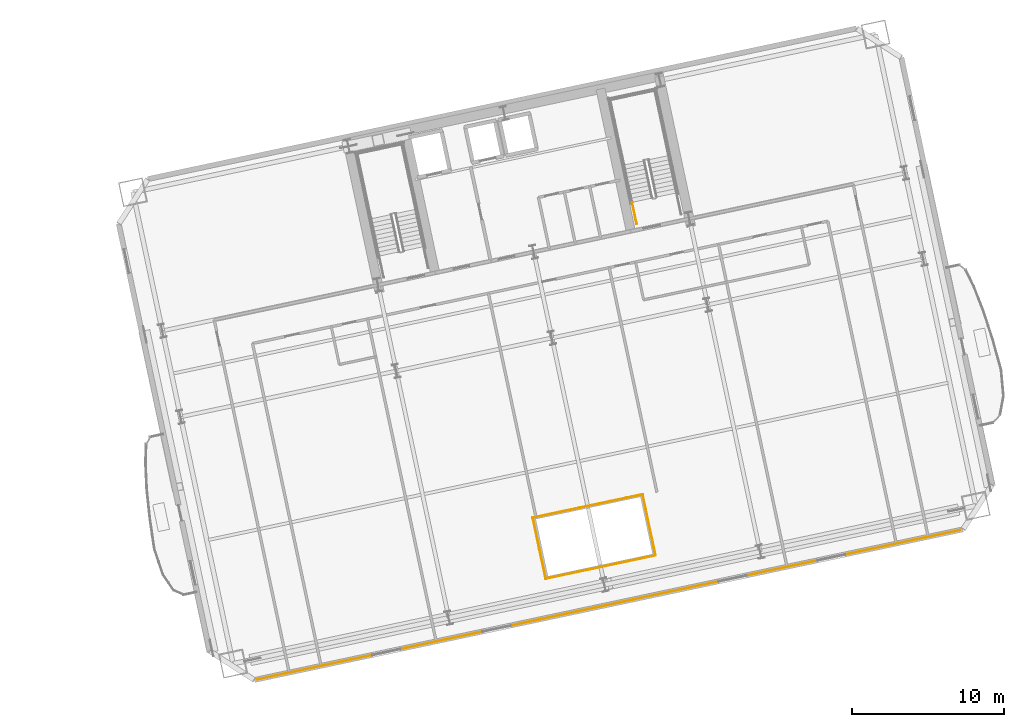
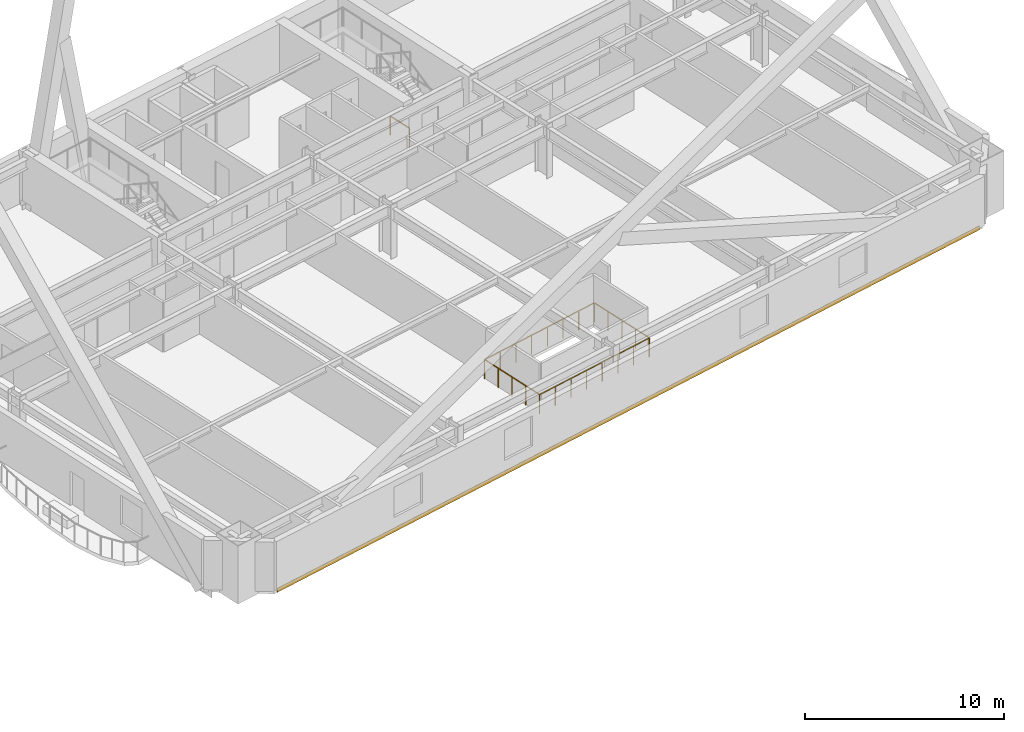
# One storey, part 18 of 20: 5 railings, 1 covering.
"""IFC4 building model written with IfcOpenShell, lengths in metres."""

from ifc_helpers import new_model, si_unit, direction, frame, origin, origin_2d, place, context, subcontext, project, spatial, rectangle, extrude, material, layer, layer_set, type_object, element, save


model = new_model("IFC4")

# Units and contexts
model_context = context("Model", 3, precision=1e-05, world=origin(), true_north=direction((0.0, 1.0)))
body_context = subcontext(model_context, "Body", "Model", "MODEL_VIEW")
ifc_project = project(units=[si_unit("LENGTHUNIT", "METRE"), si_unit("AREAUNIT", "SQUARE_METRE"), si_unit("VOLUMEUNIT", "CUBIC_METRE"), si_unit("PLANEANGLEUNIT", "RADIAN"), si_unit("MASSUNIT", "GRAM", prefix="KILO")], contexts=[model_context])

# Site, building, storey
site_placement = place(None, origin())
site = spatial("IfcSite", under=ifc_project, at=site_placement, CompositionType="ELEMENT")
building_placement = place(site_placement, origin())
building = spatial("IfcBuilding", under=site, at=building_placement, Name="Haevon Station Towers", CompositionType="ELEMENT")
storey_placement = place(building_placement, frame((0.0, 0.0, 30.60009765625)))
storey = spatial("IfcBuildingStorey", under=building, at=storey_placement, Name="L06", CompositionType="ELEMENT", Elevation=30.60009765625)

# Railings
ifc_material_1 = material(Name="Steel S355", Category="steel")
railing_type_1 = type_object("IfcRailingType", Name="BAL-ATR1200", PredefinedType="BALUSTRADE", material=ifc_material_1)
railing_1_placement = place(storey_placement, frame((109.81884765625, 18.0615234375, 0.0)))
element("IfcRailing", 1, at=railing_1_placement, inside=storey, type_object=railing_type_1, Name="L06 Atrium Void Balustrade 1", PredefinedType="BALUSTRADE", context=body_context, shape_type="SweptSolid", body=[
    extrude(rectangle(XDim=0.048095703125, YDim=0.048095703125, at=origin_2d()), frame((0.0, 0.0, 1.17578125), z_axis=(0.978148717371, 0.207906437384, 0.0), x_axis=(-0.207906437384, 0.978148717371, 0.0)), (0.0, 0.0, 1.0), 7.40966796875),
    extrude(rectangle(XDim=0.0419921875, YDim=0.0419921875, at=origin_2d()), origin(), (0.0, 0.0, 1.0), 1.15185546875),
    extrude(rectangle(XDim=0.0419921875, YDim=0.0419921875, at=origin_2d()), frame((1.035400390625, 0.219970703125, 0.0)), (0.0, 0.0, 1.0), 1.15185546875),
    extrude(rectangle(XDim=0.0419921875, YDim=0.0419921875, at=origin_2d()), frame((2.07080078125, 0.440185546875, 0.0)), (0.0, 0.0, 1.0), 1.15185546875),
    extrude(rectangle(XDim=0.0419921875, YDim=0.0419921875, at=origin_2d()), frame((3.106201171875, 0.66015625, 0.0)), (0.0, 0.0, 1.0), 1.15185546875),
    extrude(rectangle(XDim=0.0419921875, YDim=0.0419921875, at=origin_2d()), frame((4.1416015625, 0.88037109375, 0.0)), (0.0, 0.0, 1.0), 1.15185546875),
    extrude(rectangle(XDim=0.0419921875, YDim=0.0419921875, at=origin_2d()), frame((5.177001953125, 1.100341796875, 0.0)), (0.0, 0.0, 1.0), 1.15185546875),
    extrude(rectangle(XDim=0.0419921875, YDim=0.0419921875, at=origin_2d()), frame((6.21240234375, 1.320556640625, 0.0)), (0.0, 0.0, 1.0), 1.15185546875),
    extrude(rectangle(XDim=0.0419921875, YDim=0.0419921875, at=origin_2d()), frame((7.247802734375, 1.54052734375, 0.0)), (0.0, 0.0, 1.0), 1.15185546875),
])
railing_2_placement = place(storey_placement, frame((117.066650390625, 19.60205078125, 0.0)))
element("IfcRailing", 2, at=railing_2_placement, inside=storey, type_object=railing_type_1, Name="L06 Atrium Void Balustrade 2", PredefinedType="BALUSTRADE", context=body_context, shape_type="SweptSolid", body=[
    extrude(rectangle(XDim=0.048095703125, YDim=0.048095703125, at=origin_2d()), frame((0.0, 0.0, 1.17578125), z_axis=(-0.207928976297, 0.978143926432, 0.0), x_axis=(-0.978143926432, -0.207928976297, 0.0)), (0.0, 0.0, 1.0), 4.11669921875),
    extrude(rectangle(XDim=0.0419921875, YDim=0.0419921875, at=origin_2d()), origin(), (0.0, 0.0, 1.0), 1.15185546875),
    extrude(rectangle(XDim=0.0419921875, YDim=0.0419921875, at=origin_2d()), frame((-0.2138671875, 1.006591796875, 0.0)), (0.0, 0.0, 1.0), 1.15185546875),
    extrude(rectangle(XDim=0.0419921875, YDim=0.0419921875, at=origin_2d()), frame((-0.427978515625, 2.01318359375, 0.0)), (0.0, 0.0, 1.0), 1.15185546875),
    extrude(rectangle(XDim=0.0419921875, YDim=0.0419921875, at=origin_2d()), frame((-0.64208984375, 3.02001953125, 0.0)), (0.0, 0.0, 1.0), 1.15185546875),
    extrude(rectangle(XDim=0.0419921875, YDim=0.0419921875, at=origin_2d()), frame((-0.85595703125, 4.026611328125, 0.0)), (0.0, 0.0, 1.0), 1.15185546875),
])
railing_3_placement = place(storey_placement, frame((116.210693359375, 23.628662109375, 0.0)))
element("IfcRailing", 3, at=railing_3_placement, inside=storey, type_object=railing_type_1, Name="L06 Atrium Void Balustrade 3", PredefinedType="BALUSTRADE", context=body_context, shape_type="SweptSolid", body=[
    extrude(rectangle(XDim=0.048095703125, YDim=0.048095703125, at=origin_2d()), frame((0.0, 0.0, 1.17578125), z_axis=(-0.978148717371, -0.207906437384, 0.0), x_axis=(0.207906437384, -0.978148717371, 0.0)), (0.0, 0.0, 1.0), 7.40966796875),
    extrude(rectangle(XDim=0.0419921875, YDim=0.0419921875, at=origin_2d()), origin(), (0.0, 0.0, 1.0), 1.15185546875),
    extrude(rectangle(XDim=0.0419921875, YDim=0.0419921875, at=origin_2d()), frame((-1.035400390625, -0.219970703125, 0.0)), (0.0, 0.0, 1.0), 1.15185546875),
    extrude(rectangle(XDim=0.0419921875, YDim=0.0419921875, at=origin_2d()), frame((-2.07080078125, -0.440185546875, 0.0)), (0.0, 0.0, 1.0), 1.15185546875),
    extrude(rectangle(XDim=0.0419921875, YDim=0.0419921875, at=origin_2d()), frame((-3.106201171875, -0.66015625, 0.0)), (0.0, 0.0, 1.0), 1.15185546875),
    extrude(rectangle(XDim=0.0419921875, YDim=0.0419921875, at=origin_2d()), frame((-4.1416015625, -0.88037109375, 0.0)), (0.0, 0.0, 1.0), 1.15185546875),
    extrude(rectangle(XDim=0.0419921875, YDim=0.0419921875, at=origin_2d()), frame((-5.177001953125, -1.100341796875, 0.0)), (0.0, 0.0, 1.0), 1.15185546875),
    extrude(rectangle(XDim=0.0419921875, YDim=0.0419921875, at=origin_2d()), frame((-6.21240234375, -1.320556640625, 0.0)), (0.0, 0.0, 1.0), 1.15185546875),
    extrude(rectangle(XDim=0.0419921875, YDim=0.0419921875, at=origin_2d()), frame((-7.247802734375, -1.54052734375, 0.0)), (0.0, 0.0, 1.0), 1.15185546875),
])
railing_4_placement = place(storey_placement, frame((108.962890625, 22.088134765625, 0.0)))
element("IfcRailing", 4, at=railing_4_placement, inside=storey, type_object=railing_type_1, Name="L06 Atrium Void Balustrade 4", PredefinedType="BALUSTRADE", context=body_context, shape_type="SweptSolid", body=[
    extrude(rectangle(XDim=0.048095703125, YDim=0.048095703125, at=origin_2d()), frame((0.0, 0.0, 1.17578125), z_axis=(0.207928976297, -0.978143926432, 0.0), x_axis=(0.978143926432, 0.207928976297, 0.0)), (0.0, 0.0, 1.0), 4.11669921875),
    extrude(rectangle(XDim=0.0419921875, YDim=0.0419921875, at=origin_2d()), origin(), (0.0, 0.0, 1.0), 1.15185546875),
    extrude(rectangle(XDim=0.0419921875, YDim=0.0419921875, at=origin_2d()), frame((0.2138671875, -1.006591796875, 0.0)), (0.0, 0.0, 1.0), 1.15185546875),
    extrude(rectangle(XDim=0.0419921875, YDim=0.0419921875, at=origin_2d()), frame((0.427978515625, -2.01318359375, 0.0)), (0.0, 0.0, 1.0), 1.15185546875),
    extrude(rectangle(XDim=0.0419921875, YDim=0.0419921875, at=origin_2d()), frame((0.64208984375, -3.02001953125, 0.0)), (0.0, 0.0, 1.0), 1.15185546875),
    extrude(rectangle(XDim=0.0419921875, YDim=0.0419921875, at=origin_2d()), frame((0.85595703125, -4.026611328125, 0.0)), (0.0, 0.0, 1.0), 1.15185546875),
])

# Covering
ifc_material_2 = material(Name="Anodised aluminium 6063-T6", Category="aluminium")
ifc_layer = layer(ifc_material_2, 0.0400390625)
ifc_layer_set = layer_set([ifc_layer], Name="Anodised aluminium 6063-T6")
covering_type = type_object("IfcCoveringType", Name="COV-CLAD40", PredefinedType="CLADDING", material=ifc_layer_set)
covering_placement = place(storey_placement, frame((113.97119140625, 16.345458984375, -0.240234375), z_axis=(0.0, 0.0, 1.0), x_axis=(0.978147600734, 0.207911690818, 0.0)))
element("IfcCovering", 5, at=covering_placement, inside=storey, type_object=covering_type, Name="Tower 2 L06 Spandrel Fascia Cladding", PredefinedType="CLADDING", context=body_context, shape_type="SweptSolid", body=[
    extrude(rectangle(XDim=47.39990234375, YDim=0.0400390625, at=origin_2d()), origin(), (0.0, 0.0, 1.0), 0.239990234375),
])

# Railing
railing_type_2 = type_object("IfcRailingType", Name="GRD-STR1200", PredefinedType="GUARDRAIL", material=ifc_material_1)
railing_5_placement = place(storey_placement, frame((115.816162109375, 41.478271484375, 0.0)))
element("IfcRailing", 6, at=railing_5_placement, inside=storey, type_object=railing_type_2, Name="L06 ST4 Stair Guard 9", PredefinedType="GUARDRAIL", context=body_context, shape_type="SweptSolid", body=[
    extrude(rectangle(XDim=0.048095703125, YDim=0.048095703125, at=origin_2d()), frame((0.0, 0.0, 1.17578125), z_axis=(-0.207919161079, 0.978146012851, 0.0), x_axis=(-0.978146012851, -0.207919161079, 0.0)), (0.0, 0.0, 1.0), 1.4501953125),
    extrude(rectangle(XDim=0.0419921875, YDim=0.0419921875, at=origin_2d()), origin(), (0.0, 0.0, 1.0), 1.15185546875),
    extrude(rectangle(XDim=0.0419921875, YDim=0.0419921875, at=origin_2d()), frame((-0.301513671875, 1.41845703125, 0.0)), (0.0, 0.0, 1.0), 1.15185546875),
])

save(model, "model.ifc")
